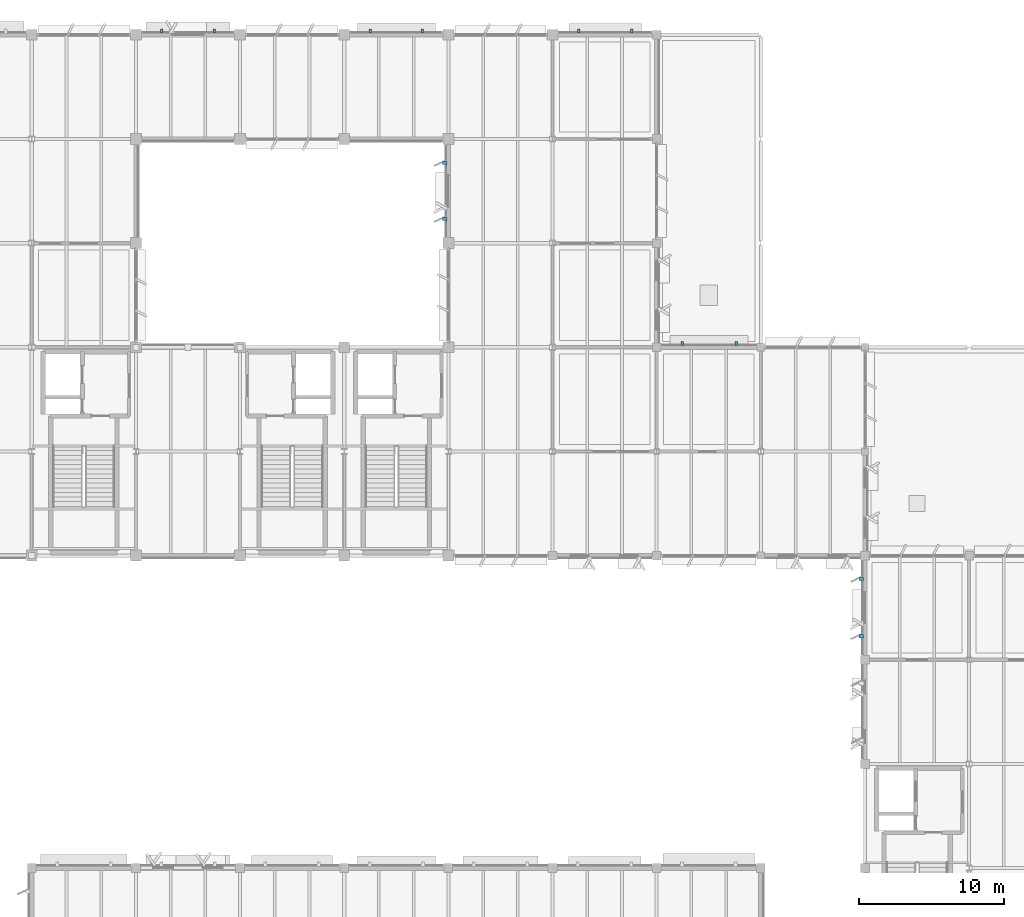
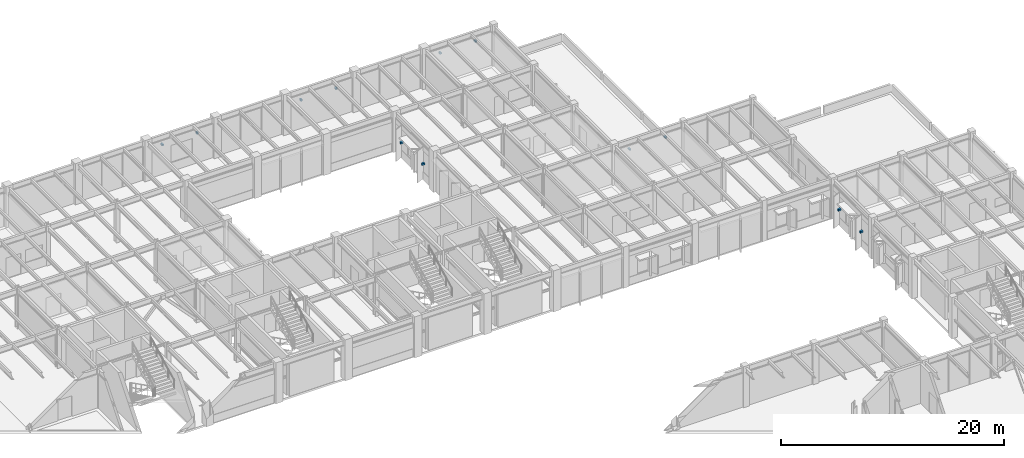
# One storey, part 48 of 92: 12 discrete accessories.
"""IFC4 building model written with IfcOpenShell, lengths in metres."""

from ifc_helpers import new_model, si_unit, direction, frame, origin, origin_2d, place, context, subcontext, project, spatial, rectangle, extrude, material, type_object, element, save


model = new_model("IFC4")

# Units and contexts
model_context = context("Model", 3, precision=1e-05, world=origin(), true_north=direction((0.0, 1.0)))
body_context = subcontext(model_context, "Body", "Model", "MODEL_VIEW")
ifc_project = project(units=[si_unit("LENGTHUNIT", "METRE"), si_unit("AREAUNIT", "SQUARE_METRE"), si_unit("VOLUMEUNIT", "CUBIC_METRE"), si_unit("PLANEANGLEUNIT", "RADIAN"), si_unit("MASSUNIT", "GRAM", prefix="KILO")], contexts=[model_context])

# Site, building, storey
site_placement = place(None, origin())
site = spatial("IfcSite", under=ifc_project, at=site_placement, CompositionType="ELEMENT")
building_placement = place(site_placement, origin())
building = spatial("IfcBuilding", under=site, at=building_placement, Name="Sillqori Civic Hall", CompositionType="ELEMENT")
storey_placement = place(building_placement, frame((0.0, 0.0, 5.39990234375)))
storey = spatial("IfcBuildingStorey", under=building, at=storey_placement, Name="L02", CompositionType="ELEMENT", Elevation=5.39990234375)

# Discrete accessories
ifc_material = material(Name="Steel ASTM A572 Grade 50", Category="steel")
discrete_accessory_type_1 = type_object("IfcDiscreteAccessoryType", Name="BRK-FAC-240", PredefinedType="BRACKET", material=ifc_material)
for number, where, z_axis, x_axis, name in (
    (1, (73.7939453125, 115.449951171875, 2.89990234375), (0.0, 0.0, 1.0), (1.0, 0.0, 0.0), "Sun-hood steel bracket L02-10-15-N.1"),
    (2, (77.406005859375, 115.449951171875, 2.89990234375), (0.0, 0.0, 1.0), (1.0, 0.0, 0.0), "Sun-hood steel bracket L02-10-15-N.2"),
    (3, (88.194091796875, 115.449951171875, 2.75), (0.0, 0.0, 1.0), (1.0, 0.0, 0.0), "Sun-hood steel bracket L02-12-15-N.1"),
    (4, (91.805908203125, 115.449951171875, 2.75), (0.0, 0.0, 1.0), (1.0, 0.0, 0.0), "Sun-hood steel bracket L02-12-15-N.2"),
    (5, (102.610595703125, 115.449951171875, 2.85009765625), (0.0, 0.0, 1.0), (1.0, 0.0, 0.0), "Sun-hood steel bracket L02-14-15-N.1"),
    (6, (106.264404296875, 115.449951171875, 2.85009765625), (0.0, 0.0, 1.0), (1.0, 0.0, 0.0), "Sun-hood steel bracket L02-14-15-N.2"),
    (7, (109.762939453125, 93.85009765625, 2.89990234375), (0.0, 0.0, 1.0), (1.0, 0.0, 0.0), "Sun-hood steel bracket L02-15-12-N.1"),
    (8, (113.487060546875, 93.85009765625, 2.89990234375), (0.0, 0.0, 1.0), (1.0, 0.0, 0.0), "Sun-hood steel bracket L02-15-12-N.2"),
):
    element("IfcDiscreteAccessory", number, at=place(storey_placement, frame(where, z_axis=z_axis, x_axis=x_axis)), inside=storey, type_object=discrete_accessory_type_1, Name=name, PredefinedType="BRACKET", context=body_context, shape_type="SweptSolid", body=[
        extrude(rectangle(XDim=0.179931640625, YDim=0.280029296875, at=origin_2d()), origin(), (0.0, 0.0, 1.0), 0.179931640625),
    ])
discrete_accessory_type_2 = type_object("IfcDiscreteAccessoryType", Name="BRK-FIN-280", PredefinedType="BRACKET", material=ifc_material)
for number, where, z_axis, x_axis, name in (
    (9, (93.340087890625, 102.465087890625, 1.78369140625), (0.0, 0.0, 1.0), (0.0, 1.0, 0.0), "Brise-soleil fin steel bracket L02-13-14-W.1"),
    (10, (93.340087890625, 106.3349609375, 1.78369140625), (0.0, 0.0, 1.0), (0.0, 1.0, 0.0), "Brise-soleil fin steel bracket L02-13-14-W.2"),
    (11, (122.1298828125, 73.6201171875, 1.78369140625), (0.0, 0.0, 1.0), (0.0, 1.0, 0.0), "Brise-soleil fin steel bracket L02-17-10-W.1"),
    (12, (122.1298828125, 77.580078125, 1.78369140625), (0.0, 0.0, 1.0), (0.0, 1.0, 0.0), "Brise-soleil fin steel bracket L02-17-10-W.2"),
):
    element("IfcDiscreteAccessory", number, at=place(storey_placement, frame(where, z_axis=z_axis, x_axis=x_axis)), inside=storey, type_object=discrete_accessory_type_2, Name=name, PredefinedType="BRACKET", context=body_context, shape_type="SweptSolid", body=[
        extrude(rectangle(XDim=0.219970703125, YDim=0.320068359375, at=origin_2d()), origin(), (0.0, 0.0, 1.0), 0.199951171875),
    ])

save(model, "model.ifc")
